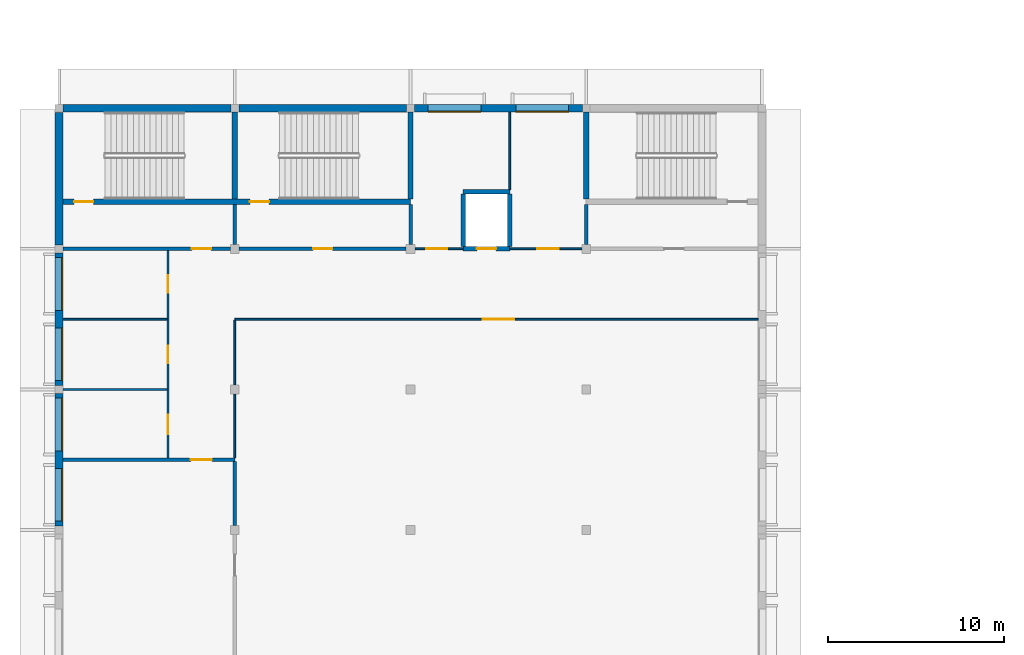
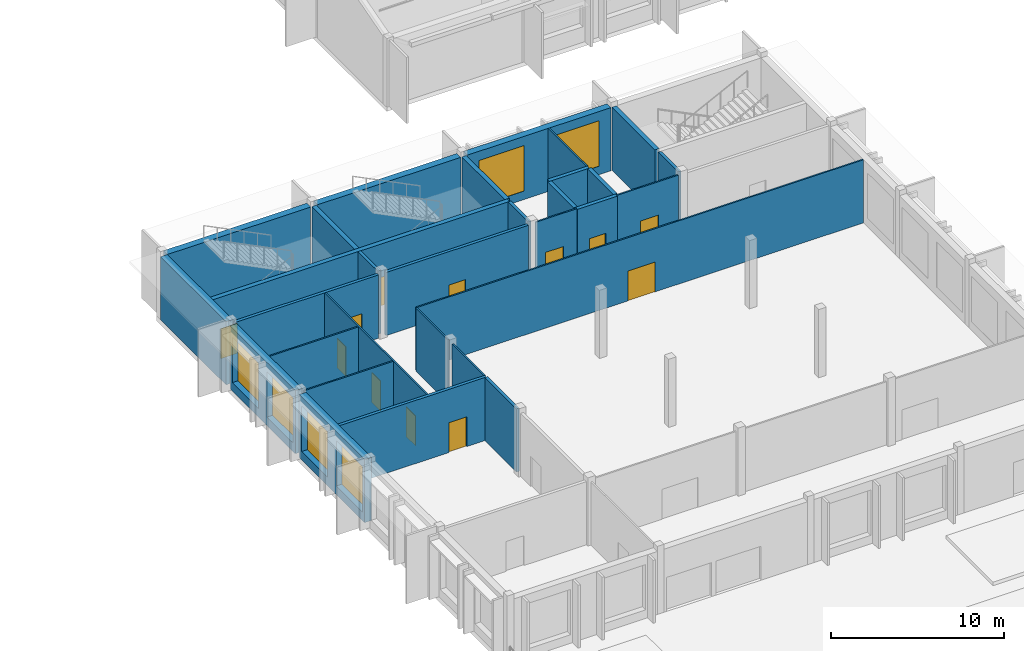
# One storey, part 115 of 196: 30 walls, 12 doors, 6 windows, 18 openings.
"""IFC4 building model written with IfcOpenShell, lengths in metres."""

import ifcopenshell
import ifcopenshell.guid

model = None  # the IFC model being written
_history = None  # IfcOwnerHistory: only IFC2X3 demands one
_inside = {}  # id of a spatial element -> (the spatial element, [elements in it])
_under = {}  # id of a project, library or spatial element -> (it, [spatial elements below it])
_declared = {}  # id of a project -> (the project, [libraries it declares])
_typed = {}  # id of a type object -> (the type object, [elements of that type])
_made_of = {}  # id of a material, layer set ... -> (it, [elements and type objects made of it])


def new_model(schema):
    """Start an empty IFC model of exactly this schema.

    Asked for "IFC4X3", IfcOpenShell would pick the latest addendum, in which some entities
    have other attributes; the version numbers below select the first issue.
    IFC2X3 requires an IfcOwnerHistory on every rooted entity: one is made here for all.
    """
    global model, _history
    if schema == "IFC4X3":
        model = ifcopenshell.file(schema_version=(4, 3, 0, 0))
    else:
        model = ifcopenshell.file(schema=schema)
    _inside.clear()
    _under.clear()
    _declared.clear()
    _typed.clear()
    _made_of.clear()
    _history = None
    if model.schema == "IFC2X3":
        org = make("IfcOrganization", Name="unknown")
        user = make(
            "IfcPersonAndOrganization",
            ThePerson=make("IfcPerson", FamilyName="unknown"),
            TheOrganization=org,
        )
        app = make(
            "IfcApplication",
            ApplicationDeveloper=org,
            Version="unknown",
            ApplicationFullName="unknown",
            ApplicationIdentifier="unknown",
        )
        _history = make(
            "IfcOwnerHistory",
            OwningUser=user,
            OwningApplication=app,
            ChangeAction="ADDED",
            CreationDate=0,
        )
    return model


def make(cls, **values):
    """One entity of the class cls with the attributes given. An attribute that is None is left unset."""
    return model.create_entity(
        cls, **{name: value for name, value in values.items() if value is not None}
    )


def rooted(cls, **values):
    """An entity with a GlobalId (a new one), such as an element, a storey or a relation."""
    return make(cls, GlobalId=ifcopenshell.guid.new(), OwnerHistory=_history, **values)


def si_unit(unit_type, name, prefix=None):
    """IfcSIUnit, for example si_unit("LENGTHUNIT", "METRE", prefix="MILLI")."""
    return make("IfcSIUnit", UnitType=unit_type, Prefix=prefix, Name=name)


def assignment(units):
    """IfcUnitAssignment: the units of a project."""
    return None if units is None else make("IfcUnitAssignment", Units=units)


def point(xyz):
    """IfcCartesianPoint."""
    return None if xyz is None else make("IfcCartesianPoint", Coordinates=xyz)


def direction(xyz):
    """IfcDirection."""
    return None if xyz is None else make("IfcDirection", DirectionRatios=xyz)


def frame(location, z_axis=None, x_axis=None):
    """IfcAxis2Placement3D, a coordinate frame: its origin and axes. An axis left out is left unset."""
    return make(
        "IfcAxis2Placement3D",
        Location=point(location),
        Axis=direction(z_axis),
        RefDirection=direction(x_axis),
    )


def frame_2d(location, x_axis=None):
    """IfcAxis2Placement2D, a coordinate frame in the plane: its origin and x axis."""
    return make(
        "IfcAxis2Placement2D", Location=point(location), RefDirection=direction(x_axis)
    )


def origin():
    """The frame at (0, 0, 0) with its axes left unset."""
    return frame((0.0, 0.0, 0.0))


def place(relative_to, where):
    """IfcLocalPlacement: puts the frame where relative to a parent placement (None: the world)."""
    return make(
        "IfcLocalPlacement", PlacementRelTo=relative_to, RelativePlacement=where
    )


def context(
    kind, dimensions, precision=None, world=None, true_north=None, identifier=None
):
    """IfcGeometricRepresentationContext, for example the 3D "Model" context."""
    return make(
        "IfcGeometricRepresentationContext",
        ContextIdentifier=identifier,
        ContextType=kind,
        CoordinateSpaceDimension=dimensions,
        Precision=precision,
        WorldCoordinateSystem=world,
        TrueNorth=true_north,
    )


def subcontext(parent, identifier, kind, view, scale=None):
    """IfcGeometricRepresentationSubContext, for example "Body" below "Model"."""
    return make(
        "IfcGeometricRepresentationSubContext",
        ContextIdentifier=identifier,
        ContextType=kind,
        ParentContext=parent,
        TargetScale=scale,
        TargetView=view,
    )


def project(units=None, contexts=None):
    """IfcProject with its units and contexts."""
    return rooted(
        "IfcProject",
        Name="project",
        RepresentationContexts=contexts,
        UnitsInContext=assignment(units),
    )


def spatial(cls, under=None, at=None, **own):
    """A site, building, storey or space (cls), placed at a placement, below another one or the project."""
    s = rooted(cls, ObjectPlacement=at, **own)
    if under is not None:
        _under.setdefault(under.id(), (under, []))[1].append(s)
    return s


def profile(cls, at=None, kind="AREA", **sizes):
    """A parametric profile (cls). Its sizes go by their IFC names, for example OverallWidth=200.0."""
    return make(cls, ProfileType=kind, Position=at, **sizes)


def rectangle(**sizes):
    """IfcRectangleProfileDef."""
    return profile("IfcRectangleProfileDef", **sizes)


def extrude(swept, where, along, depth):
    """IfcExtrudedAreaSolid: the profile swept, set in the frame where, extruded along a direction by depth."""
    return make(
        "IfcExtrudedAreaSolid",
        SweptArea=swept,
        Position=where,
        ExtrudedDirection=direction(along),
        Depth=depth,
    )


def shape(context_of_items, identifier, shape_type, items):
    """IfcShapeRepresentation: the items that make up one representation, for example the "Body"."""
    return make(
        "IfcShapeRepresentation",
        ContextOfItems=context_of_items,
        RepresentationIdentifier=identifier,
        RepresentationType=shape_type,
        Items=items,
    )


def material(Name=None, Category=None):
    """IfcMaterial."""
    return make("IfcMaterial", Name=Name, Category=Category)


def layer(
    of_material, thickness, ventilated=None, Name=None, Category=None, Priority=None
):
    """IfcMaterialLayer: one layer of a wall or slab, of a material (None: an air gap)."""
    return make(
        "IfcMaterialLayer",
        Material=of_material,
        LayerThickness=thickness,
        IsVentilated=ventilated,
        Name=Name,
        Category=Category,
        Priority=Priority,
    )


def layer_set(layers, Name=None):
    """IfcMaterialLayerSet."""
    return make("IfcMaterialLayerSet", MaterialLayers=layers, LayerSetName=Name)


def made_of(thing, what):
    """Note that an element or type object is made of a material, layer set ...; save() writes the relation."""
    if what is not None:
        _made_of.setdefault(what.id(), (what, []))[1].append(thing)
    return thing


def type_object(cls, material=None, **own):
    """A type object (cls), such as IfcWallType, which elements share."""
    return made_of(rooted(cls, **own), material)


def element(
    cls,
    number,
    at=None,
    inside=None,
    cuts=None,
    type_object=None,
    material=None,
    context=None,
    identifier="Body",
    shape_type=None,
    held_by="IfcProductDefinitionShape",
    body=None,
    shapes=None,
    **own,
):
    """One element of the class cls, such as IfcWall. Its Tag is "e" and its number.

    at: its placement. inside: the storey or other place that contains it. cuts: it is an
    opening in that element (IfcRelVoidsElement). A single representation is given by context,
    identifier, shape_type and body (its items); several are given by shapes. held_by: the class
    of the entity that holds the representations. save() writes the other relations.
    """
    e = rooted(cls, Tag="e%d" % number, ObjectPlacement=at, **own)
    if body is not None:
        shapes = [shape(context, identifier, shape_type, body)]
    if shapes is not None:
        e.Representation = make(held_by, Representations=shapes)
    if inside is not None:
        _inside.setdefault(inside.id(), (inside, []))[1].append(e)
    if cuts is not None:
        rooted(
            "IfcRelVoidsElement", RelatingBuildingElement=cuts, RelatedOpeningElement=e
        )
    if type_object is not None:
        _typed.setdefault(type_object.id(), (type_object, []))[1].append(e)
    return made_of(e, material)


def fill(opening, filler):
    """IfcRelFillsElement: the door or window that sits in an opening."""
    return rooted(
        "IfcRelFillsElement",
        RelatingOpeningElement=opening,
        RelatedBuildingElement=filler,
    )


def aggregate(whole, parts):
    """IfcRelAggregates: a whole, such as a stair, and the parts it consists of."""
    return rooted("IfcRelAggregates", RelatingObject=whole, RelatedObjects=parts)


def save(model, path):
    """Write the relations noted so far, then the file.

    IfcRelAggregates (storeys below a building ...), IfcRelContainedInSpatialStructure (elements
    in a storey), IfcRelDefinesByType, IfcRelAssociatesMaterial and IfcRelDeclares: one each for
    every whole, place, type object, material and project.
    """
    for whole, parts in _under.values():
        aggregate(whole, parts)
    for where, things in _inside.values():
        rooted(
            "IfcRelContainedInSpatialStructure",
            RelatedElements=things,
            RelatingStructure=where,
        )
    for kind, things in _typed.values():
        rooted("IfcRelDefinesByType", RelatedObjects=things, RelatingType=kind)
    for what, things in _made_of.values():
        rooted("IfcRelAssociatesMaterial", RelatedObjects=things, RelatingMaterial=what)
    for by, libraries in _declared.values():
        rooted("IfcRelDeclares", RelatingContext=by, RelatedDefinitions=libraries)
    model.write(path)


model = new_model("IFC4")

# Units and contexts
model_context = context("Model", 3, precision=1e-05, world=origin(), true_north=direction((0.0, 1.0)))
body_context = subcontext(model_context, "Body", "Model", "MODEL_VIEW")
ifc_project = project(units=[si_unit("LENGTHUNIT", "METRE"), si_unit("AREAUNIT", "SQUARE_METRE"), si_unit("VOLUMEUNIT", "CUBIC_METRE"), si_unit("PLANEANGLEUNIT", "RADIAN"), si_unit("MASSUNIT", "GRAM", prefix="KILO")], contexts=[model_context])

# Site, building, storey
site_placement = place(None, origin())
site = spatial("IfcSite", under=ifc_project, at=site_placement, CompositionType="ELEMENT")
building_placement = place(site_placement, origin())
building = spatial("IfcBuilding", under=site, at=building_placement, Name="Okhra Congress Centre", CompositionType="ELEMENT")
storey_placement = place(building_placement, frame((0.0, 0.0, 12.0)))
storey = spatial("IfcBuildingStorey", under=building, at=storey_placement, Name="L02", CompositionType="ELEMENT", Elevation=12.0)

# Wall, openings, windows
ifc_material_1 = material(Name="Insulated metal panel on steel stud (mineral wool, vapour barrier)", Category="steel")
ifc_layer_1 = layer(ifc_material_1, 0.449951171875)
ifc_layer_set_1 = layer_set([ifc_layer_1], Name="Insulated wall 450")
wall_type_1 = type_object("IfcWallType", Name="Insulated wall 450", PredefinedType="SOLIDWALL", material=ifc_layer_set_1)
wall_1_placement = place(storey_placement, frame((35.77490234375, 84.0, 0.0), z_axis=(0.0, 0.0, 1.0), x_axis=(-1.0, 0.0, 0.0)))
wall_1 = element("IfcWall", 1, at=wall_1_placement, inside=storey, type_object=wall_type_1, Name="RS.WALL.L02.24", PredefinedType="SOLIDWALL", context=body_context, shape_type="SweptSolid", body=[
    extrude(rectangle(XDim=9.5498046875, YDim=0.449951171875, at=frame_2d((4.77490234375, 0.0))), origin(), (0.0, 0.0, 1.0), 4.449951171875),
])
opening_1_placement = place(wall_1_placement, frame((5.77490234375, 0.0, 0.60009765625)))
opening_1 = element("IfcOpeningElement", 2, at=opening_1_placement, cuts=wall_1, Name="Opening WN18", PredefinedType="OPENING", context=body_context, shape_type="SweptSolid", body=[
    extrude(rectangle(XDim=3.0, YDim=3.199951171875, at=frame_2d((1.5, 1.60009765625))), frame((0.0, 0.23486328125, 0.0), z_axis=(0.0, -1.0, 0.0), x_axis=(1.0, 0.0, 0.0)), (0.0, 0.0, 1.0), 0.469970703125),
])
opening_2_placement = place(wall_1_placement, frame((0.77490234375, 0.0, 0.60009765625)))
opening_2 = element("IfcOpeningElement", 3, at=opening_2_placement, cuts=wall_1, Name="Opening WN18", PredefinedType="OPENING", context=body_context, shape_type="SweptSolid", body=[
    extrude(rectangle(XDim=3.0, YDim=3.199951171875, at=frame_2d((1.5, 1.60009765625))), frame((0.0, 0.23486328125, 0.0), z_axis=(0.0, -1.0, 0.0), x_axis=(1.0, 0.0, 0.0)), (0.0, 0.0, 1.0), 0.469970703125),
])
ifc_material_2 = material(Name="Thermally broken aluminium frame, triple glazing", Category="aluminium")
window_type = type_object("IfcWindowType", Name="Fixed window 3000x3200", PartitioningType="SINGLE_PANEL", PredefinedType="WINDOW", material=ifc_material_2)
window_1_placement = place(opening_1_placement, origin())
window_1 = element("IfcWindow", 4, at=window_1_placement, inside=storey, type_object=window_type, Name="RS.WIN.L02.5", OverallHeight=3.199951171875, OverallWidth=3.0, PartitioningType="SINGLE_PANEL", PredefinedType="WINDOW", context=body_context, shape_type="SweptSolid", body=[
    extrude(rectangle(XDim=3.0, YDim=3.199951171875, at=frame_2d((1.5, 1.60009765625))), frame((0.0, 0.215087890625, 0.0), z_axis=(0.0, -1.0, 0.0), x_axis=(1.0, 0.0, 0.0)), (0.0, 0.0, 1.0), 0.06005859375),
])
fill(opening_1, window_1)
window_2_placement = place(opening_2_placement, origin())
window_2 = element("IfcWindow", 5, at=window_2_placement, inside=storey, type_object=window_type, Name="RS.WIN.L02.6", OverallHeight=3.199951171875, OverallWidth=3.0, PartitioningType="SINGLE_PANEL", PredefinedType="WINDOW", context=body_context, shape_type="SweptSolid", body=[
    extrude(rectangle(XDim=3.0, YDim=3.199951171875, at=frame_2d((1.5, 1.60009765625))), frame((0.0, 0.215087890625, 0.0), z_axis=(0.0, -1.0, 0.0), x_axis=(1.0, 0.0, 0.0)), (0.0, 0.0, 1.0), 0.06005859375),
])
fill(opening_2, window_2)

wall_2_placement = place(storey_placement, frame((6.0, 75.77490234375, 0.0), z_axis=(0.0, 0.0, 1.0), x_axis=(0.0, -1.0, 0.0)))
wall_2 = element("IfcWall", 6, at=wall_2_placement, inside=storey, type_object=wall_type_1, Name="RS.WALL.L02.29", PredefinedType="SOLIDWALL", context=body_context, shape_type="SweptSolid", body=[
    extrude(rectangle(XDim=7.5498046875, YDim=0.449951171875, at=frame_2d((3.77490234375, 0.0))), origin(), (0.0, 0.0, 1.0), 4.449951171875),
])
opening_3_placement = place(wall_2_placement, frame((4.27490234375, 0.0, 0.60009765625)))
opening_3 = element("IfcOpeningElement", 7, at=opening_3_placement, cuts=wall_2, Name="Opening WN18", PredefinedType="OPENING", context=body_context, shape_type="SweptSolid", body=[
    extrude(rectangle(XDim=3.0, YDim=3.199951171875, at=frame_2d((1.5, 1.60009765625))), frame((0.0, 0.23486328125, 0.0), z_axis=(0.0, -1.0, 0.0), x_axis=(1.0, 0.0, 0.0)), (0.0, 0.0, 1.0), 0.469970703125),
])
opening_4_placement = place(wall_2_placement, frame((0.27490234375, 0.0, 0.60009765625)))
opening_4 = element("IfcOpeningElement", 8, at=opening_4_placement, cuts=wall_2, Name="Opening WN18", PredefinedType="OPENING", context=body_context, shape_type="SweptSolid", body=[
    extrude(rectangle(XDim=3.0, YDim=3.199951171875, at=frame_2d((1.5, 1.60009765625))), frame((0.0, 0.23486328125, 0.0), z_axis=(0.0, -1.0, 0.0), x_axis=(1.0, 0.0, 0.0)), (0.0, 0.0, 1.0), 0.469970703125),
])
window_3_placement = place(opening_3_placement, origin())
window_3 = element("IfcWindow", 9, at=window_3_placement, inside=storey, type_object=window_type, Name="RS.WIN.L02.13", OverallHeight=3.199951171875, OverallWidth=3.0, PartitioningType="SINGLE_PANEL", PredefinedType="WINDOW", context=body_context, shape_type="SweptSolid", body=[
    extrude(rectangle(XDim=3.0, YDim=3.199951171875, at=frame_2d((1.5, 1.60009765625))), frame((0.0, 0.215087890625, 0.0), z_axis=(0.0, -1.0, 0.0), x_axis=(1.0, 0.0, 0.0)), (0.0, 0.0, 1.0), 0.06005859375),
])
fill(opening_3, window_3)
window_4_placement = place(opening_4_placement, origin())
window_4 = element("IfcWindow", 10, at=window_4_placement, inside=storey, type_object=window_type, Name="RS.WIN.L02.14", OverallHeight=3.199951171875, OverallWidth=3.0, PartitioningType="SINGLE_PANEL", PredefinedType="WINDOW", context=body_context, shape_type="SweptSolid", body=[
    extrude(rectangle(XDim=3.0, YDim=3.199951171875, at=frame_2d((1.5, 1.60009765625))), frame((0.0, 0.215087890625, 0.0), z_axis=(0.0, -1.0, 0.0), x_axis=(1.0, 0.0, 0.0)), (0.0, 0.0, 1.0), 0.06005859375),
])
fill(opening_4, window_4)

ifc_layer_2 = layer(ifc_material_1, 0.449951171875)
ifc_layer_set_2 = layer_set([ifc_layer_2], Name="Insulated wall 450 EI 45")
wall_type_2 = type_object("IfcWallType", Name="Insulated wall 450 EI 45", PredefinedType="SOLIDWALL", material=ifc_layer_set_2)
wall_3_placement = place(storey_placement, frame((6.0, 67.77490234375, 0.0), z_axis=(0.0, 0.0, 1.0), x_axis=(0.0, -1.0, 0.0)))
wall_3 = element("IfcWall", 11, at=wall_3_placement, inside=storey, type_object=wall_type_2, Name="RS.WALL.L02.28", PredefinedType="SOLIDWALL", context=body_context, shape_type="SweptSolid", body=[
    extrude(rectangle(XDim=7.5498046875, YDim=0.449951171875, at=frame_2d((3.77490234375, 0.0))), origin(), (0.0, 0.0, 1.0), 4.449951171875),
])
opening_5_placement = place(wall_3_placement, frame((4.27490234375, 0.0, 0.60009765625)))
opening_5 = element("IfcOpeningElement", 12, at=opening_5_placement, cuts=wall_3, Name="Opening WN18", PredefinedType="OPENING", context=body_context, shape_type="SweptSolid", body=[
    extrude(rectangle(XDim=3.0, YDim=3.199951171875, at=frame_2d((1.5, 1.60009765625))), frame((0.0, 0.23486328125, 0.0), z_axis=(0.0, -1.0, 0.0), x_axis=(1.0, 0.0, 0.0)), (0.0, 0.0, 1.0), 0.469970703125),
])
opening_6_placement = place(wall_3_placement, frame((0.27490234375, 0.0, 0.60009765625)))
opening_6 = element("IfcOpeningElement", 13, at=opening_6_placement, cuts=wall_3, Name="Opening WN18", PredefinedType="OPENING", context=body_context, shape_type="SweptSolid", body=[
    extrude(rectangle(XDim=3.0, YDim=3.199951171875, at=frame_2d((1.5, 1.60009765625))), frame((0.0, 0.23486328125, 0.0), z_axis=(0.0, -1.0, 0.0), x_axis=(1.0, 0.0, 0.0)), (0.0, 0.0, 1.0), 0.469970703125),
])
window_5_placement = place(opening_5_placement, origin())
window_5 = element("IfcWindow", 14, at=window_5_placement, inside=storey, type_object=window_type, Name="RS.WIN.L02.11", OverallHeight=3.199951171875, OverallWidth=3.0, PartitioningType="SINGLE_PANEL", PredefinedType="WINDOW", context=body_context, shape_type="SweptSolid", body=[
    extrude(rectangle(XDim=3.0, YDim=3.199951171875, at=frame_2d((1.5, 1.60009765625))), frame((0.0, 0.215087890625, 0.0), z_axis=(0.0, -1.0, 0.0), x_axis=(1.0, 0.0, 0.0)), (0.0, 0.0, 1.0), 0.06005859375),
])
fill(opening_5, window_5)
window_6_placement = place(opening_6_placement, origin())
window_6 = element("IfcWindow", 15, at=window_6_placement, inside=storey, type_object=window_type, Name="RS.WIN.L02.12", OverallHeight=3.199951171875, OverallWidth=3.0, PartitioningType="SINGLE_PANEL", PredefinedType="WINDOW", context=body_context, shape_type="SweptSolid", body=[
    extrude(rectangle(XDim=3.0, YDim=3.199951171875, at=frame_2d((1.5, 1.60009765625))), frame((0.0, 0.215087890625, 0.0), z_axis=(0.0, -1.0, 0.0), x_axis=(1.0, 0.0, 0.0)), (0.0, 0.0, 1.0), 0.06005859375),
])
fill(opening_6, window_6)

# Wall, opening, door
ifc_material_3 = material(Name="Masonry blockwork (aerated concrete D500)", Category="masonry")
ifc_layer_3 = layer(ifc_material_3, 0.199951171875)
ifc_layer_set_3 = layer_set([ifc_layer_3], Name="Masonry block wall 200 EI 45")
wall_type_3 = type_object("IfcWallType", Name="Masonry block wall 200 EI 45", PredefinedType="SOLIDWALL", material=ifc_layer_set_3)
wall_4_placement = place(storey_placement, frame((6.22509765625, 64.0, 0.0), z_axis=(0.0, 0.0, 1.0), x_axis=(1.0, 0.0, 0.0)))
wall_4 = element("IfcWall", 16, at=wall_4_placement, inside=storey, type_object=wall_type_3, Name="RS.WALL.L02.9", PredefinedType="SOLIDWALL", context=body_context, shape_type="SweptSolid", body=[
    extrude(rectangle(XDim=9.77490234375, YDim=0.199951171875, at=frame_2d((4.887451171875, 0.0))), origin(), (0.0, 0.0, 1.0), 4.449951171875),
])
opening_7_placement = place(wall_4_placement, frame((7.27490234375, 0.0, 0.0)))
opening_7 = element("IfcOpeningElement", 17, at=opening_7_placement, cuts=wall_4, Name="Opening L02-023", PredefinedType="OPENING", context=body_context, shape_type="SweptSolid", body=[
    extrude(rectangle(XDim=1.199951171875, YDim=2.10009765625, at=frame_2d((0.60009765625, 1.050048828125))), frame((0.0, 0.10986328125, 0.0), z_axis=(0.0, -1.0, 0.0), x_axis=(1.0, 0.0, 0.0)), (0.0, 0.0, 1.0), 0.219970703125),
])
ifc_material_4 = material(Name="Steel fire door leaf in steel frame, intumescent seals", Category="steel")
door_type_1 = type_object("IfcDoorType", Name="Steel fire door 1200x2100 EI 30", OperationType="NOTDEFINED", PredefinedType="DOOR", material=ifc_material_4)
door_1_placement = place(opening_7_placement, origin())
door_1 = element("IfcDoor", 18, at=door_1_placement, inside=storey, type_object=door_type_1, Name="Door L02-023", OperationType="SINGLE_SWING_RIGHT", OverallHeight=2.10009765625, OverallWidth=1.199951171875, PredefinedType="DOOR", context=body_context, shape_type="SweptSolid", body=[
    extrude(rectangle(XDim=1.199951171875, YDim=2.10009765625, at=frame_2d((0.60009765625, 1.050048828125))), frame((0.0, 0.02490234375, 0.0), z_axis=(0.0, -1.0, 0.0), x_axis=(1.0, 0.0, 0.0)), (0.0, 0.0, 1.0), 0.050048828125),
])
fill(opening_7, door_1)

wall_5_placement = place(storey_placement, frame((6.22509765625, 76.0, 0.0), z_axis=(0.0, 0.0, 1.0), x_axis=(1.0, 0.0, 0.0)))
wall_5 = element("IfcWall", 19, at=wall_5_placement, inside=storey, type_object=wall_type_3, Name="RS.WALL.L02.13", PredefinedType="SOLIDWALL", context=body_context, shape_type="SweptSolid", body=[
    extrude(rectangle(XDim=9.52490234375, YDim=0.199951171875, at=frame_2d((4.762451171875, 0.0))), origin(), (0.0, 0.0, 1.0), 4.449951171875),
])
opening_8_placement = place(wall_5_placement, frame((7.324951171875, 0.0, 0.0)))
opening_8 = element("IfcOpeningElement", 20, at=opening_8_placement, cuts=wall_5, Name="Opening L02-014", PredefinedType="OPENING", context=body_context, shape_type="SweptSolid", body=[
    extrude(rectangle(XDim=1.10009765625, YDim=2.10009765625, at=frame_2d((0.550048828125, 1.050048828125))), frame((0.0, 0.10986328125, 0.0), z_axis=(0.0, -1.0, 0.0), x_axis=(1.0, 0.0, 0.0)), (0.0, 0.0, 1.0), 0.219970703125),
])
door_type_2 = type_object("IfcDoorType", Name="Steel fire door 1100x2100 EI 30", OperationType="NOTDEFINED", PredefinedType="DOOR", material=ifc_material_4)
door_2_placement = place(opening_8_placement, origin())
door_2 = element("IfcDoor", 21, at=door_2_placement, inside=storey, type_object=door_type_2, Name="Door L02-014", OperationType="SINGLE_SWING_LEFT", OverallHeight=2.10009765625, OverallWidth=1.10009765625, PredefinedType="DOOR", context=body_context, shape_type="SweptSolid", body=[
    extrude(rectangle(XDim=1.10009765625, YDim=2.10009765625, at=frame_2d((0.550048828125, 1.050048828125))), frame((0.0, 0.02490234375, 0.0), z_axis=(0.0, -1.0, 0.0), x_axis=(1.0, 0.0, 0.0)), (0.0, 0.0, 1.0), 0.050048828125),
])
fill(opening_8, door_2)

wall_6_placement = place(storey_placement, frame((16.25, 76.0, 0.0), z_axis=(0.0, 0.0, 1.0), x_axis=(1.0, 0.0, 0.0)))
wall_6 = element("IfcWall", 22, at=wall_6_placement, inside=storey, type_object=wall_type_3, Name="RS.WALL.L02.14", PredefinedType="SOLIDWALL", context=body_context, shape_type="SweptSolid", body=[
    extrude(rectangle(XDim=9.5, YDim=0.199951171875, at=frame_2d((4.75, 0.0))), origin(), (0.0, 0.0, 1.0), 4.449951171875),
])
opening_9_placement = place(wall_6_placement, frame((4.199951171875, 0.0, 0.0)))
opening_9 = element("IfcOpeningElement", 23, at=opening_9_placement, cuts=wall_6, Name="Opening L02-016", PredefinedType="OPENING", context=body_context, shape_type="SweptSolid", body=[
    extrude(rectangle(XDim=1.10009765625, YDim=2.10009765625, at=frame_2d((0.550048828125, 1.050048828125))), frame((0.0, 0.10986328125, 0.0), z_axis=(0.0, -1.0, 0.0), x_axis=(1.0, 0.0, 0.0)), (0.0, 0.0, 1.0), 0.219970703125),
])
door_3_placement = place(opening_9_placement, origin())
door_3 = element("IfcDoor", 24, at=door_3_placement, inside=storey, type_object=door_type_2, Name="Door L02-016", OperationType="SINGLE_SWING_LEFT", OverallHeight=2.10009765625, OverallWidth=1.10009765625, PredefinedType="DOOR", context=body_context, shape_type="SweptSolid", body=[
    extrude(rectangle(XDim=1.10009765625, YDim=2.10009765625, at=frame_2d((0.550048828125, 1.050048828125))), frame((0.0, 0.02490234375, 0.0), z_axis=(0.0, -1.0, 0.0), x_axis=(1.0, 0.0, 0.0)), (0.0, 0.0, 1.0), 0.050048828125),
])
fill(opening_9, door_3)

# Walls
wall_7_placement = place(storey_placement, frame((16.0, 60.25, 0.0), z_axis=(0.0, 0.0, 1.0), x_axis=(0.0, 1.0, 0.0)))
element("IfcWall", 25, at=wall_7_placement, inside=storey, type_object=wall_type_3, Name="RS.WALL.L02.34", PredefinedType="SOLIDWALL", context=body_context, shape_type="SweptSolid", body=[
    extrude(rectangle(XDim=3.64990234375, YDim=0.199951171875, at=frame_2d((1.824951171875, 0.0))), origin(), (0.0, 0.0, 1.0), 4.449951171875),
])
for number, where, z_axis, x_axis, name in (
    (26, (16.0, 76.25, 0.0), (0.0, 0.0, 1.0), (0.0, 1.0, 0.0), "RS.WALL.L02.37"),
    (27, (26.0, 76.25, 0.0), (0.0, 0.0, 1.0), (0.0, 1.0, 0.0), "RS.WALL.L02.39"),
    (28, (36.0, 76.25, 0.0), (0.0, 0.0, 1.0), (0.0, 1.0, 0.0), "RS.WALL.L02.44"),
):
    element("IfcWall", number, at=place(storey_placement, frame(where, z_axis=z_axis, x_axis=x_axis)), inside=storey, type_object=wall_type_3, Name=name, PredefinedType="SOLIDWALL", context=body_context, shape_type="SweptSolid", body=[
        extrude(rectangle(XDim=2.27490234375, YDim=0.199951171875, at=frame_2d((1.137451171875, 0.0))), origin(), (0.0, 0.0, 1.0), 4.449951171875),
    ])
ifc_material_5 = material(Name="Gypsum board on steel studs", Category="steel")
ifc_layer_4 = layer(ifc_material_5, 0.10009765625)
ifc_layer_set_4 = layer_set([ifc_layer_4], Name="Partition 100 EI 15")
wall_type_4 = type_object("IfcWallType", Name="Partition 100 EI 15", PredefinedType="PARTITIONING", material=ifc_layer_set_4)
for number, where, z_axis, x_axis, name in (
    (29, (6.22509765625, 68.0, 0.0), (0.0, 0.0, 1.0), (1.0, 0.0, 0.0), "RS.WALL.L02.10"),
    (30, (6.22509765625, 72.0, 0.0), (0.0, 0.0, 1.0), (1.0, 0.0, 0.0), "RS.WALL.L02.11"),
):
    element("IfcWall", number, at=place(storey_placement, frame(where, z_axis=z_axis, x_axis=x_axis)), inside=storey, type_object=wall_type_4, Name=name, PredefinedType="PARTITIONING", context=body_context, shape_type="SweptSolid", body=[
        extrude(rectangle(XDim=5.9248046875, YDim=0.10009765625, at=frame_2d((2.96240234375, 0.0))), origin(), (0.0, 0.0, 1.0), 4.449951171875),
    ])

# Wall, opening, door
wall_8_placement = place(storey_placement, frame((16.0, 72.0, 0.0), z_axis=(0.0, 0.0, 1.0), x_axis=(1.0, 0.0, 0.0)))
wall_8 = element("IfcWall", 31, at=wall_8_placement, inside=storey, type_object=wall_type_4, Name="RS.WALL.L02.12", PredefinedType="PARTITIONING", context=body_context, shape_type="SweptSolid", body=[
    extrude(rectangle(XDim=29.77490234375, YDim=0.10009765625, at=frame_2d((14.887451171875, 0.0))), origin(), (0.0, 0.0, 1.0), 4.449951171875),
])
opening_10_placement = place(wall_8_placement, frame((14.10009765625, 0.0, 0.0)))
opening_10 = element("IfcOpeningElement", 32, at=opening_10_placement, cuts=wall_8, Name="Opening L02-027", PredefinedType="OPENING", context=body_context, shape_type="SweptSolid", body=[
    extrude(rectangle(XDim=1.800048828125, YDim=2.10009765625, at=frame_2d((0.89990234375, 1.050048828125))), frame((0.0, 0.06005859375, 0.0), z_axis=(0.0, -1.0, 0.0), x_axis=(1.0, 0.0, 0.0)), (0.0, 0.0, 1.0), 0.1201171875),
])
ifc_material_6 = material(Name="Timber door leaves in steel frame", Category="steel")
door_type_3 = type_object("IfcDoorType", Name="Double swing door 1800x2100", OperationType="NOTDEFINED", PredefinedType="DOOR", material=ifc_material_6)
door_4_placement = place(opening_10_placement, origin())
door_4 = element("IfcDoor", 33, at=door_4_placement, inside=storey, type_object=door_type_3, Name="Door L02-027", OperationType="DOUBLE_DOOR_SINGLE_SWING", OverallHeight=2.10009765625, OverallWidth=1.800048828125, PredefinedType="DOOR", context=body_context, shape_type="SweptSolid", body=[
    extrude(rectangle(XDim=1.800048828125, YDim=2.10009765625, at=frame_2d((0.89990234375, 1.050048828125))), frame((0.0, 0.02490234375, 0.0), z_axis=(0.0, -1.0, 0.0), x_axis=(1.0, 0.0, 0.0)), (0.0, 0.0, 1.0), 0.050048828125),
])
fill(opening_10, door_4)

wall_9_placement = place(storey_placement, frame((26.25, 76.0, 0.0), z_axis=(0.0, 0.0, 1.0), x_axis=(1.0, 0.0, 0.0)))
wall_9 = element("IfcWall", 34, at=wall_9_placement, inside=storey, type_object=wall_type_4, Name="RS.WALL.L02.15", PredefinedType="PARTITIONING", context=body_context, shape_type="SweptSolid", body=[
    extrude(rectangle(XDim=2.75, YDim=0.10009765625, at=frame_2d((1.375, 0.0))), origin(), (0.0, 0.0, 1.0), 4.449951171875),
])
opening_11_placement = place(wall_9_placement, frame((0.64990234375, 0.0, 0.0)))
opening_11 = element("IfcOpeningElement", 35, at=opening_11_placement, cuts=wall_9, Name="Opening L02-030", PredefinedType="OPENING", context=body_context, shape_type="SweptSolid", body=[
    extrude(rectangle(XDim=1.199951171875, YDim=2.10009765625, at=frame_2d((0.60009765625, 1.050048828125))), frame((0.0, 0.06005859375, 0.0), z_axis=(0.0, -1.0, 0.0), x_axis=(1.0, 0.0, 0.0)), (0.0, 0.0, 1.0), 0.1201171875),
])
ifc_material_7 = material(Name="Timber door leaf in steel frame", Category="steel")
door_type_4 = type_object("IfcDoorType", Name="Single swing door 1200x2100", OperationType="NOTDEFINED", PredefinedType="DOOR", material=ifc_material_7)
door_5_placement = place(opening_11_placement, frame((1.199951171875, 0.0, 0.0), z_axis=(0.0, 0.0, 1.0), x_axis=(-1.0, 0.0, 0.0)))
door_5 = element("IfcDoor", 36, at=door_5_placement, inside=storey, type_object=door_type_4, Name="Door L02-030", OperationType="SINGLE_SWING_RIGHT", OverallHeight=2.10009765625, OverallWidth=1.199951171875, PredefinedType="DOOR", context=body_context, shape_type="SweptSolid", body=[
    extrude(rectangle(XDim=1.199951171875, YDim=2.10009765625, at=frame_2d((0.60009765625, 1.050048828125))), frame((0.0, 0.02490234375, 0.0), z_axis=(0.0, -1.0, 0.0), x_axis=(1.0, 0.0, 0.0)), (0.0, 0.0, 1.0), 0.050048828125),
])
fill(opening_11, door_5)

wall_10_placement = place(storey_placement, frame((31.64990234375, 76.0, 0.0), z_axis=(0.0, 0.0, 1.0), x_axis=(1.0, 0.0, 0.0)))
wall_10 = element("IfcWall", 37, at=wall_10_placement, inside=storey, type_object=wall_type_4, Name="RS.WALL.L02.17", PredefinedType="PARTITIONING", context=body_context, shape_type="SweptSolid", body=[
    extrude(rectangle(XDim=4.10009765625, YDim=0.10009765625, at=frame_2d((2.050048828125, 0.0))), origin(), (0.0, 0.0, 1.0), 4.449951171875),
])
opening_12_placement = place(wall_10_placement, frame((1.574951171875, 0.0, 0.0)))
opening_12 = element("IfcOpeningElement", 38, at=opening_12_placement, cuts=wall_10, Name="Opening L02-031", PredefinedType="OPENING", context=body_context, shape_type="SweptSolid", body=[
    extrude(rectangle(XDim=1.199951171875, YDim=2.10009765625, at=frame_2d((0.60009765625, 1.050048828125))), frame((0.0, 0.06005859375, 0.0), z_axis=(0.0, -1.0, 0.0), x_axis=(1.0, 0.0, 0.0)), (0.0, 0.0, 1.0), 0.1201171875),
])
door_6_placement = place(opening_12_placement, frame((1.199951171875, 0.0, 0.0), z_axis=(0.0, 0.0, 1.0), x_axis=(-1.0, 0.0, 0.0)))
door_6 = element("IfcDoor", 39, at=door_6_placement, inside=storey, type_object=door_type_4, Name="Door L02-031", OperationType="SINGLE_SWING_LEFT", OverallHeight=2.10009765625, OverallWidth=1.199951171875, PredefinedType="DOOR", context=body_context, shape_type="SweptSolid", body=[
    extrude(rectangle(XDim=1.199951171875, YDim=2.10009765625, at=frame_2d((0.60009765625, 1.050048828125))), frame((0.0, 0.02490234375, 0.0), z_axis=(0.0, -1.0, 0.0), x_axis=(1.0, 0.0, 0.0)), (0.0, 0.0, 1.0), 0.050048828125),
])
fill(opening_12, door_6)

# Wall, openings, doors
wall_11_placement = place(storey_placement, frame((12.199951171875, 64.10009765625, 0.0), z_axis=(0.0, 0.0, 1.0), x_axis=(0.0, 1.0, 0.0)))
wall_11 = element("IfcWall", 40, at=wall_11_placement, inside=storey, type_object=wall_type_4, Name="RS.WALL.L02.31", PredefinedType="PARTITIONING", context=body_context, shape_type="SweptSolid", body=[
    extrude(rectangle(XDim=11.7998046875, YDim=0.10009765625, at=frame_2d((5.89990234375, 0.0))), origin(), (0.0, 0.0, 1.0), 4.449951171875),
])
opening_13_placement = place(wall_11_placement, frame((1.35009765625, 0.0, 0.0)))
opening_13 = element("IfcOpeningElement", 41, at=opening_13_placement, cuts=wall_11, Name="Opening L02-020", PredefinedType="OPENING", context=body_context, shape_type="SweptSolid", body=[
    extrude(rectangle(XDim=1.10009765625, YDim=2.10009765625, at=frame_2d((0.550048828125, 1.050048828125))), frame((0.0, 0.06005859375, 0.0), z_axis=(0.0, -1.0, 0.0), x_axis=(1.0, 0.0, 0.0)), (0.0, 0.0, 1.0), 0.1201171875),
])
opening_14_placement = place(wall_11_placement, frame((5.39990234375, 0.0, 0.0)))
opening_14 = element("IfcOpeningElement", 42, at=opening_14_placement, cuts=wall_11, Name="Opening L02-021", PredefinedType="OPENING", context=body_context, shape_type="SweptSolid", body=[
    extrude(rectangle(XDim=1.0, YDim=2.10009765625, at=frame_2d((0.5, 1.050048828125))), frame((0.0, 0.06005859375, 0.0), z_axis=(0.0, -1.0, 0.0), x_axis=(1.0, 0.0, 0.0)), (0.0, 0.0, 1.0), 0.1201171875),
])
opening_15_placement = place(wall_11_placement, frame((9.39990234375, 0.0, 0.0)))
opening_15 = element("IfcOpeningElement", 43, at=opening_15_placement, cuts=wall_11, Name="Opening L02-022", PredefinedType="OPENING", context=body_context, shape_type="SweptSolid", body=[
    extrude(rectangle(XDim=1.0, YDim=2.10009765625, at=frame_2d((0.5, 1.050048828125))), frame((0.0, 0.06005859375, 0.0), z_axis=(0.0, -1.0, 0.0), x_axis=(1.0, 0.0, 0.0)), (0.0, 0.0, 1.0), 0.1201171875),
])
door_type_5 = type_object("IfcDoorType", Name="Single swing door 1000x2100", OperationType="NOTDEFINED", PredefinedType="DOOR", material=ifc_material_7)
door_7_placement = place(opening_14_placement, frame((1.0, 0.0, 0.0), z_axis=(0.0, 0.0, 1.0), x_axis=(-1.0, 0.0, 0.0)))
door_7 = element("IfcDoor", 44, at=door_7_placement, inside=storey, type_object=door_type_5, Name="Door L02-021", OperationType="SINGLE_SWING_LEFT", OverallHeight=2.10009765625, OverallWidth=1.0, PredefinedType="DOOR", context=body_context, shape_type="SweptSolid", body=[
    extrude(rectangle(XDim=1.0, YDim=2.10009765625, at=frame_2d((0.5, 1.050048828125))), frame((0.0, 0.02490234375, 0.0), z_axis=(0.0, -1.0, 0.0), x_axis=(1.0, 0.0, 0.0)), (0.0, 0.0, 1.0), 0.050048828125),
])
fill(opening_14, door_7)
door_8_placement = place(opening_15_placement, frame((1.0, 0.0, 0.0), z_axis=(0.0, 0.0, 1.0), x_axis=(-1.0, 0.0, 0.0)))
door_8 = element("IfcDoor", 45, at=door_8_placement, inside=storey, type_object=door_type_5, Name="Door L02-022", OperationType="SINGLE_SWING_RIGHT", OverallHeight=2.10009765625, OverallWidth=1.0, PredefinedType="DOOR", context=body_context, shape_type="SweptSolid", body=[
    extrude(rectangle(XDim=1.0, YDim=2.10009765625, at=frame_2d((0.5, 1.050048828125))), frame((0.0, 0.02490234375, 0.0), z_axis=(0.0, -1.0, 0.0), x_axis=(1.0, 0.0, 0.0)), (0.0, 0.0, 1.0), 0.050048828125),
])
fill(opening_15, door_8)
door_type_6 = type_object("IfcDoorType", Name="Single swing door 1100x2100", OperationType="NOTDEFINED", PredefinedType="DOOR", material=ifc_material_7)
door_9_placement = place(opening_13_placement, frame((1.10009765625, 0.0, 0.0), z_axis=(0.0, 0.0, 1.0), x_axis=(-1.0, 0.0, 0.0)))
door_9 = element("IfcDoor", 46, at=door_9_placement, inside=storey, type_object=door_type_6, Name="Door L02-020", OperationType="SINGLE_SWING_RIGHT", OverallHeight=2.10009765625, OverallWidth=1.10009765625, PredefinedType="DOOR", context=body_context, shape_type="SweptSolid", body=[
    extrude(rectangle(XDim=1.10009765625, YDim=2.10009765625, at=frame_2d((0.550048828125, 1.050048828125))), frame((0.0, 0.02490234375, 0.0), z_axis=(0.0, -1.0, 0.0), x_axis=(1.0, 0.0, 0.0)), (0.0, 0.0, 1.0), 0.050048828125),
])
fill(opening_13, door_9)

# Walls
wall_12_placement = place(storey_placement, frame((16.0, 64.10009765625, 0.0), z_axis=(0.0, 0.0, 1.0), x_axis=(0.0, 1.0, 0.0)))
element("IfcWall", 47, at=wall_12_placement, inside=storey, type_object=wall_type_4, Name="RS.WALL.L02.35", PredefinedType="PARTITIONING", context=body_context, shape_type="SweptSolid", body=[
    extrude(rectangle(XDim=3.64990234375, YDim=0.10009765625, at=frame_2d((1.824951171875, 0.0))), origin(), (0.0, 0.0, 1.0), 4.449951171875),
])
wall_13_placement = place(storey_placement, frame((16.0, 68.25, 0.0), z_axis=(0.0, 0.0, 1.0), x_axis=(0.0, 1.0, 0.0)))
element("IfcWall", 48, at=wall_13_placement, inside=storey, type_object=wall_type_4, Name="RS.WALL.L02.36", PredefinedType="PARTITIONING", context=body_context, shape_type="SweptSolid", body=[
    extrude(rectangle(XDim=3.699951171875, YDim=0.10009765625, at=frame_2d((1.85009765625, 0.0))), origin(), (0.0, 0.0, 1.0), 4.449951171875),
])
wall_14_placement = place(storey_placement, frame((31.64990234375, 79.375, 0.0), z_axis=(0.0, 0.0, 1.0), x_axis=(0.0, 1.0, 0.0)))
element("IfcWall", 49, at=wall_14_placement, inside=storey, type_object=wall_type_4, Name="RS.WALL.L02.43", PredefinedType="PARTITIONING", context=body_context, shape_type="SweptSolid", body=[
    extrude(rectangle(XDim=4.39990234375, YDim=0.10009765625, at=frame_2d((2.199951171875, 0.0))), origin(), (0.0, 0.0, 1.0), 4.449951171875),
])

# Wall, openings, doors
ifc_material_8 = material(Name="Concrete C35/45", Category="concrete")
ifc_layer_5 = layer(ifc_material_8, 0.300048828125)
ifc_layer_set_5 = layer_set([ifc_layer_5], Name="RC core wall 300 REI 120 C35/45")
wall_type_5 = type_object("IfcWallType", Name="RC core wall 300 REI 120 C35/45", PredefinedType="SHEAR", material=ifc_layer_set_5)
wall_15_placement = place(storey_placement, frame((6.22509765625, 78.675048828125, 0.0), z_axis=(0.0, 0.0, 1.0), x_axis=(1.0, 0.0, 0.0)))
wall_15 = element("IfcWall", 50, at=wall_15_placement, inside=storey, type_object=wall_type_5, Name="RS.WALL.L02.19", PredefinedType="SHEAR", context=body_context, shape_type="SweptSolid", body=[
    extrude(rectangle(XDim=19.77490234375, YDim=0.300048828125, at=frame_2d((9.887451171875, 0.0))), origin(), (0.0, 0.0, 1.0), 4.449951171875),
])
opening_16_placement = place(wall_15_placement, frame((0.625, 0.0, 0.0)))
opening_16 = element("IfcOpeningElement", 51, at=opening_16_placement, cuts=wall_15, Name="Opening L02-015", PredefinedType="OPENING", context=body_context, shape_type="SweptSolid", body=[
    extrude(rectangle(XDim=1.10009765625, YDim=2.10009765625, at=frame_2d((0.550048828125, 1.050048828125))), frame((0.0, 0.159912109375, 0.0), z_axis=(0.0, -1.0, 0.0), x_axis=(1.0, 0.0, 0.0)), (0.0, 0.0, 1.0), 0.320068359375),
])
opening_17_placement = place(wall_15_placement, frame((10.625, 0.0, 0.0)))
opening_17 = element("IfcOpeningElement", 52, at=opening_17_placement, cuts=wall_15, Name="Opening L02-017", PredefinedType="OPENING", context=body_context, shape_type="SweptSolid", body=[
    extrude(rectangle(XDim=1.10009765625, YDim=2.10009765625, at=frame_2d((0.550048828125, 1.050048828125))), frame((0.0, 0.159912109375, 0.0), z_axis=(0.0, -1.0, 0.0), x_axis=(1.0, 0.0, 0.0)), (0.0, 0.0, 1.0), 0.320068359375),
])
door_10_placement = place(opening_16_placement, origin())
door_10 = element("IfcDoor", 53, at=door_10_placement, inside=storey, type_object=door_type_2, Name="Door L02-015", OperationType="SINGLE_SWING_RIGHT", OverallHeight=2.10009765625, OverallWidth=1.10009765625, PredefinedType="DOOR", context=body_context, shape_type="SweptSolid", body=[
    extrude(rectangle(XDim=1.10009765625, YDim=2.10009765625, at=frame_2d((0.550048828125, 1.050048828125))), frame((0.0, 0.02490234375, 0.0), z_axis=(0.0, -1.0, 0.0), x_axis=(1.0, 0.0, 0.0)), (0.0, 0.0, 1.0), 0.050048828125),
])
fill(opening_16, door_10)
door_11_placement = place(opening_17_placement, origin())
door_11 = element("IfcDoor", 54, at=door_11_placement, inside=storey, type_object=door_type_2, Name="Door L02-017", OperationType="SINGLE_SWING_RIGHT", OverallHeight=2.10009765625, OverallWidth=1.10009765625, PredefinedType="DOOR", context=body_context, shape_type="SweptSolid", body=[
    extrude(rectangle(XDim=1.10009765625, YDim=2.10009765625, at=frame_2d((0.550048828125, 1.050048828125))), frame((0.0, 0.02490234375, 0.0), z_axis=(0.0, -1.0, 0.0), x_axis=(1.0, 0.0, 0.0)), (0.0, 0.0, 1.0), 0.050048828125),
])
fill(opening_17, door_11)

# Walls
for number, where, z_axis, x_axis, name in (
    (55, (16.0, 78.824951171875, 0.0), (0.0, 0.0, 1.0), (0.0, 1.0, 0.0), "RS.WALL.L02.38"),
    (56, (26.0, 78.824951171875, 0.0), (0.0, 0.0, 1.0), (0.0, 1.0, 0.0), "RS.WALL.L02.40"),
    (57, (36.0, 78.824951171875, 0.0), (0.0, 0.0, 1.0), (0.0, 1.0, 0.0), "RS.WALL.L02.45"),
):
    element("IfcWall", number, at=place(storey_placement, frame(where, z_axis=z_axis, x_axis=x_axis)), inside=storey, type_object=wall_type_5, Name=name, PredefinedType="SHEAR", context=body_context, shape_type="SweptSolid", body=[
        extrude(rectangle(XDim=4.949951171875, YDim=0.300048828125, at=frame_2d((2.47509765625, 0.0))), origin(), (0.0, 0.0, 1.0), 4.449951171875),
    ])
ifc_material_9 = material(Name="Concrete C30/37", Category="concrete")
ifc_layer_6 = layer(ifc_material_9, 0.449951171875)
ifc_layer_set_6 = layer_set([ifc_layer_6], Name="RC facade wall 450 REI 120 C30/37")
wall_type_6 = type_object("IfcWallType", Name="RC facade wall 450 REI 120 C30/37", PredefinedType="SOLIDWALL", material=ifc_layer_set_6)
for number, where, z_axis, x_axis, name in (
    (58, (15.77490234375, 84.0, 0.0), (0.0, 0.0, 1.0), (-1.0, 0.0, 0.0), "RS.WALL.L02.22"),
    (59, (25.77490234375, 84.0, 0.0), (0.0, 0.0, 1.0), (-1.0, 0.0, 0.0), "RS.WALL.L02.23"),
):
    element("IfcWall", number, at=place(storey_placement, frame(where, z_axis=z_axis, x_axis=x_axis)), inside=storey, type_object=wall_type_6, Name=name, PredefinedType="SOLIDWALL", context=body_context, shape_type="SweptSolid", body=[
        extrude(rectangle(XDim=9.5498046875, YDim=0.449951171875, at=frame_2d((4.77490234375, 0.0))), origin(), (0.0, 0.0, 1.0), 4.449951171875),
    ])
wall_16_placement = place(storey_placement, frame((6.0, 83.77490234375, 0.0), z_axis=(0.0, 0.0, 1.0), x_axis=(0.0, -1.0, 0.0)))
element("IfcWall", 60, at=wall_16_placement, inside=storey, type_object=wall_type_6, Name="RS.WALL.L02.30", PredefinedType="SOLIDWALL", context=body_context, shape_type="SweptSolid", body=[
    extrude(rectangle(XDim=7.5498046875, YDim=0.449951171875, at=frame_2d((3.77490234375, 0.0))), origin(), (0.0, 0.0, 1.0), 4.449951171875),
])

# Wall, opening, door
ifc_layer_7 = layer(ifc_material_9, 0.25)
ifc_layer_set_7 = layer_set([ifc_layer_7], Name="RC wall 250 REI 120 C30/37")
wall_type_7 = type_object("IfcWallType", Name="RC wall 250 REI 120 C30/37", PredefinedType="SOLIDWALL", material=ifc_layer_set_7)
wall_17_placement = place(storey_placement, frame((29.0, 76.0, 0.0), z_axis=(0.0, 0.0, 1.0), x_axis=(1.0, 0.0, 0.0)))
wall_17 = element("IfcWall", 61, at=wall_17_placement, inside=storey, type_object=wall_type_7, Name="RS.WALL.L02.16", PredefinedType="SOLIDWALL", context=body_context, shape_type="SweptSolid", body=[
    extrude(rectangle(XDim=2.64990234375, YDim=0.25, at=frame_2d((1.324951171875, 0.0))), origin(), (0.0, 0.0, 1.0), 4.449951171875),
])
opening_18_placement = place(wall_17_placement, frame((0.77490234375, 0.0, 0.0)))
opening_18 = element("IfcOpeningElement", 62, at=opening_18_placement, cuts=wall_17, Name="Opening L02-032", PredefinedType="OPENING", context=body_context, shape_type="SweptSolid", body=[
    extrude(rectangle(XDim=1.10009765625, YDim=2.10009765625, at=frame_2d((0.550048828125, 1.050048828125))), frame((0.0, 0.135009765625, 0.0), z_axis=(0.0, -1.0, 0.0), x_axis=(1.0, 0.0, 0.0)), (0.0, 0.0, 1.0), 0.27001953125),
])
ifc_material_10 = material(Name="Stainless steel sliding landing door leaves", Category="steel")
door_type_7 = type_object("IfcDoorType", Name="Lift landing door 1100x2100 EI 30", OperationType="DOUBLE_DOOR_SLIDING", PredefinedType="DOOR", material=ifc_material_10)
door_12_placement = place(opening_18_placement, frame((1.10009765625, 0.0, 0.0), z_axis=(0.0, 0.0, 1.0), x_axis=(-1.0, 0.0, 0.0)))
door_12 = element("IfcDoor", 63, at=door_12_placement, inside=storey, type_object=door_type_7, Name="Door L02-032", OperationType="DOUBLE_DOOR_SLIDING", OverallHeight=2.10009765625, OverallWidth=1.10009765625, PredefinedType="DOOR", context=body_context, shape_type="SweptSolid", body=[
    extrude(rectangle(XDim=1.10009765625, YDim=2.10009765625, at=frame_2d((0.550048828125, 1.050048828125))), frame((0.0, 0.02490234375, 0.0), z_axis=(0.0, -1.0, 0.0), x_axis=(1.0, 0.0, 0.0)), (0.0, 0.0, 1.0), 0.050048828125),
])
fill(opening_18, door_12)

# Walls
wall_18_placement = place(storey_placement, frame((29.0, 79.25, 0.0), z_axis=(0.0, 0.0, 1.0), x_axis=(1.0, 0.0, 0.0)))
element("IfcWall", 64, at=wall_18_placement, inside=storey, type_object=wall_type_7, Name="RS.WALL.L02.21", PredefinedType="SOLIDWALL", context=body_context, shape_type="SweptSolid", body=[
    extrude(rectangle(XDim=2.64990234375, YDim=0.25, at=frame_2d((1.324951171875, 0.0))), origin(), (0.0, 0.0, 1.0), 4.449951171875),
])
for number, where, z_axis, x_axis, name in (
    (65, (29.0, 76.125, 0.0), (0.0, 0.0, 1.0), (0.0, 1.0, 0.0), "RS.WALL.L02.41"),
    (66, (31.64990234375, 76.125, 0.0), (0.0, 0.0, 1.0), (0.0, 1.0, 0.0), "RS.WALL.L02.42"),
):
    element("IfcWall", number, at=place(storey_placement, frame(where, z_axis=z_axis, x_axis=x_axis)), inside=storey, type_object=wall_type_7, Name=name, PredefinedType="SOLIDWALL", context=body_context, shape_type="SweptSolid", body=[
        extrude(rectangle(XDim=3.0, YDim=0.25, at=frame_2d((1.5, 0.0))), origin(), (0.0, 0.0, 1.0), 4.449951171875),
    ])

save(model, "model.ifc")
